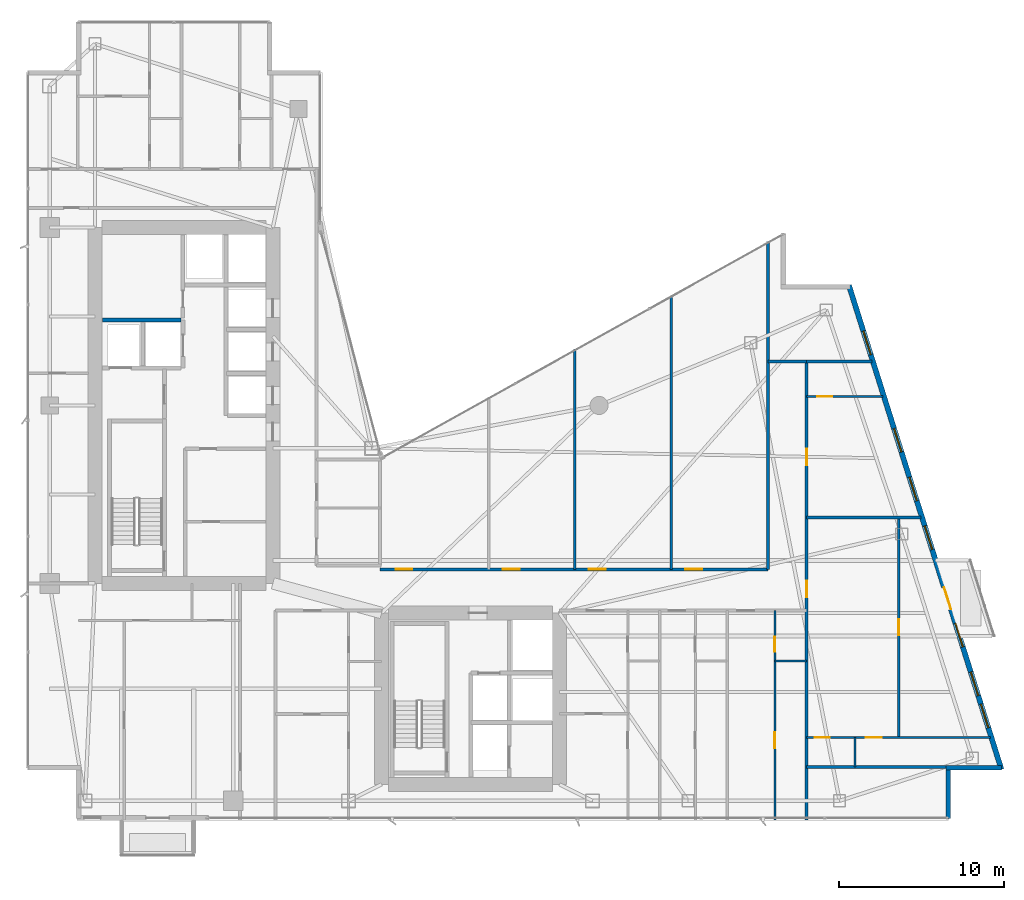
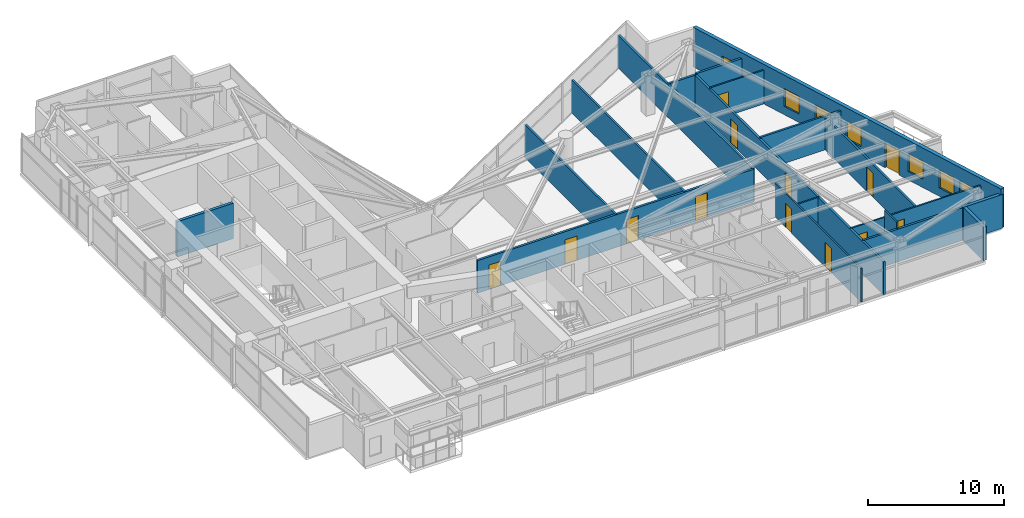
# One storey, part 24 of 29: 19 walls, 13 doors, 7 windows, 20 openings.
"""IFC4 building model written with IfcOpenShell, lengths in metres."""

import ifcopenshell
import ifcopenshell.guid

model = None  # the IFC model being written
_history = None  # IfcOwnerHistory: only IFC2X3 demands one
_inside = {}  # id of a spatial element -> (the spatial element, [elements in it])
_under = {}  # id of a project, library or spatial element -> (it, [spatial elements below it])
_declared = {}  # id of a project -> (the project, [libraries it declares])
_typed = {}  # id of a type object -> (the type object, [elements of that type])
_made_of = {}  # id of a material, layer set ... -> (it, [elements and type objects made of it])


def new_model(schema):
    """Start an empty IFC model of exactly this schema.

    Asked for "IFC4X3", IfcOpenShell would pick the latest addendum, in which some entities
    have other attributes; the version numbers below select the first issue.
    IFC2X3 requires an IfcOwnerHistory on every rooted entity: one is made here for all.
    """
    global model, _history
    if schema == "IFC4X3":
        model = ifcopenshell.file(schema_version=(4, 3, 0, 0))
    else:
        model = ifcopenshell.file(schema=schema)
    _inside.clear()
    _under.clear()
    _declared.clear()
    _typed.clear()
    _made_of.clear()
    _history = None
    if model.schema == "IFC2X3":
        org = make("IfcOrganization", Name="unknown")
        user = make(
            "IfcPersonAndOrganization",
            ThePerson=make("IfcPerson", FamilyName="unknown"),
            TheOrganization=org,
        )
        app = make(
            "IfcApplication",
            ApplicationDeveloper=org,
            Version="unknown",
            ApplicationFullName="unknown",
            ApplicationIdentifier="unknown",
        )
        _history = make(
            "IfcOwnerHistory",
            OwningUser=user,
            OwningApplication=app,
            ChangeAction="ADDED",
            CreationDate=0,
        )
    return model


def make(cls, **values):
    """One entity of the class cls with the attributes given. An attribute that is None is left unset."""
    return model.create_entity(
        cls, **{name: value for name, value in values.items() if value is not None}
    )


def rooted(cls, **values):
    """An entity with a GlobalId (a new one), such as an element, a storey or a relation."""
    return make(cls, GlobalId=ifcopenshell.guid.new(), OwnerHistory=_history, **values)


def si_unit(unit_type, name, prefix=None):
    """IfcSIUnit, for example si_unit("LENGTHUNIT", "METRE", prefix="MILLI")."""
    return make("IfcSIUnit", UnitType=unit_type, Prefix=prefix, Name=name)


def assignment(units):
    """IfcUnitAssignment: the units of a project."""
    return None if units is None else make("IfcUnitAssignment", Units=units)


def point(xyz):
    """IfcCartesianPoint."""
    return None if xyz is None else make("IfcCartesianPoint", Coordinates=xyz)


def direction(xyz):
    """IfcDirection."""
    return None if xyz is None else make("IfcDirection", DirectionRatios=xyz)


def frame(location, z_axis=None, x_axis=None):
    """IfcAxis2Placement3D, a coordinate frame: its origin and axes. An axis left out is left unset."""
    return make(
        "IfcAxis2Placement3D",
        Location=point(location),
        Axis=direction(z_axis),
        RefDirection=direction(x_axis),
    )


def frame_2d(location, x_axis=None):
    """IfcAxis2Placement2D, a coordinate frame in the plane: its origin and x axis."""
    return make(
        "IfcAxis2Placement2D", Location=point(location), RefDirection=direction(x_axis)
    )


def origin():
    """The frame at (0, 0, 0) with its axes left unset."""
    return frame((0.0, 0.0, 0.0))


def place(relative_to, where):
    """IfcLocalPlacement: puts the frame where relative to a parent placement (None: the world)."""
    return make(
        "IfcLocalPlacement", PlacementRelTo=relative_to, RelativePlacement=where
    )


def context(
    kind, dimensions, precision=None, world=None, true_north=None, identifier=None
):
    """IfcGeometricRepresentationContext, for example the 3D "Model" context."""
    return make(
        "IfcGeometricRepresentationContext",
        ContextIdentifier=identifier,
        ContextType=kind,
        CoordinateSpaceDimension=dimensions,
        Precision=precision,
        WorldCoordinateSystem=world,
        TrueNorth=true_north,
    )


def subcontext(parent, identifier, kind, view, scale=None):
    """IfcGeometricRepresentationSubContext, for example "Body" below "Model"."""
    return make(
        "IfcGeometricRepresentationSubContext",
        ContextIdentifier=identifier,
        ContextType=kind,
        ParentContext=parent,
        TargetScale=scale,
        TargetView=view,
    )


def project(units=None, contexts=None):
    """IfcProject with its units and contexts."""
    return rooted(
        "IfcProject",
        Name="project",
        RepresentationContexts=contexts,
        UnitsInContext=assignment(units),
    )


def spatial(cls, under=None, at=None, **own):
    """A site, building, storey or space (cls), placed at a placement, below another one or the project."""
    s = rooted(cls, ObjectPlacement=at, **own)
    if under is not None:
        _under.setdefault(under.id(), (under, []))[1].append(s)
    return s


def profile(cls, at=None, kind="AREA", **sizes):
    """A parametric profile (cls). Its sizes go by their IFC names, for example OverallWidth=200.0."""
    return make(cls, ProfileType=kind, Position=at, **sizes)


def rectangle(**sizes):
    """IfcRectangleProfileDef."""
    return profile("IfcRectangleProfileDef", **sizes)


def extrude(swept, where, along, depth):
    """IfcExtrudedAreaSolid: the profile swept, set in the frame where, extruded along a direction by depth."""
    return make(
        "IfcExtrudedAreaSolid",
        SweptArea=swept,
        Position=where,
        ExtrudedDirection=direction(along),
        Depth=depth,
    )


def shape(context_of_items, identifier, shape_type, items):
    """IfcShapeRepresentation: the items that make up one representation, for example the "Body"."""
    return make(
        "IfcShapeRepresentation",
        ContextOfItems=context_of_items,
        RepresentationIdentifier=identifier,
        RepresentationType=shape_type,
        Items=items,
    )


def material(Name=None, Category=None):
    """IfcMaterial."""
    return make("IfcMaterial", Name=Name, Category=Category)


def layer(
    of_material, thickness, ventilated=None, Name=None, Category=None, Priority=None
):
    """IfcMaterialLayer: one layer of a wall or slab, of a material (None: an air gap)."""
    return make(
        "IfcMaterialLayer",
        Material=of_material,
        LayerThickness=thickness,
        IsVentilated=ventilated,
        Name=Name,
        Category=Category,
        Priority=Priority,
    )


def layer_set(layers, Name=None):
    """IfcMaterialLayerSet."""
    return make("IfcMaterialLayerSet", MaterialLayers=layers, LayerSetName=Name)


def made_of(thing, what):
    """Note that an element or type object is made of a material, layer set ...; save() writes the relation."""
    if what is not None:
        _made_of.setdefault(what.id(), (what, []))[1].append(thing)
    return thing


def type_object(cls, material=None, **own):
    """A type object (cls), such as IfcWallType, which elements share."""
    return made_of(rooted(cls, **own), material)


def element(
    cls,
    number,
    at=None,
    inside=None,
    cuts=None,
    type_object=None,
    material=None,
    context=None,
    identifier="Body",
    shape_type=None,
    held_by="IfcProductDefinitionShape",
    body=None,
    shapes=None,
    **own,
):
    """One element of the class cls, such as IfcWall. Its Tag is "e" and its number.

    at: its placement. inside: the storey or other place that contains it. cuts: it is an
    opening in that element (IfcRelVoidsElement). A single representation is given by context,
    identifier, shape_type and body (its items); several are given by shapes. held_by: the class
    of the entity that holds the representations. save() writes the other relations.
    """
    e = rooted(cls, Tag="e%d" % number, ObjectPlacement=at, **own)
    if body is not None:
        shapes = [shape(context, identifier, shape_type, body)]
    if shapes is not None:
        e.Representation = make(held_by, Representations=shapes)
    if inside is not None:
        _inside.setdefault(inside.id(), (inside, []))[1].append(e)
    if cuts is not None:
        rooted(
            "IfcRelVoidsElement", RelatingBuildingElement=cuts, RelatedOpeningElement=e
        )
    if type_object is not None:
        _typed.setdefault(type_object.id(), (type_object, []))[1].append(e)
    return made_of(e, material)


def fill(opening, filler):
    """IfcRelFillsElement: the door or window that sits in an opening."""
    return rooted(
        "IfcRelFillsElement",
        RelatingOpeningElement=opening,
        RelatedBuildingElement=filler,
    )


def aggregate(whole, parts):
    """IfcRelAggregates: a whole, such as a stair, and the parts it consists of."""
    return rooted("IfcRelAggregates", RelatingObject=whole, RelatedObjects=parts)


def save(model, path):
    """Write the relations noted so far, then the file.

    IfcRelAggregates (storeys below a building ...), IfcRelContainedInSpatialStructure (elements
    in a storey), IfcRelDefinesByType, IfcRelAssociatesMaterial and IfcRelDeclares: one each for
    every whole, place, type object, material and project.
    """
    for whole, parts in _under.values():
        aggregate(whole, parts)
    for where, things in _inside.values():
        rooted(
            "IfcRelContainedInSpatialStructure",
            RelatedElements=things,
            RelatingStructure=where,
        )
    for kind, things in _typed.values():
        rooted("IfcRelDefinesByType", RelatedObjects=things, RelatingType=kind)
    for what, things in _made_of.values():
        rooted("IfcRelAssociatesMaterial", RelatedObjects=things, RelatingMaterial=what)
    for by, libraries in _declared.values():
        rooted("IfcRelDeclares", RelatingContext=by, RelatedDefinitions=libraries)
    model.write(path)


model = new_model("IFC4")

# Units and contexts
model_context = context("Model", 3, precision=1e-05, world=origin(), true_north=direction((0.0, 1.0)))
body_context = subcontext(model_context, "Body", "Model", "MODEL_VIEW")
ifc_project = project(units=[si_unit("LENGTHUNIT", "METRE"), si_unit("AREAUNIT", "SQUARE_METRE"), si_unit("VOLUMEUNIT", "CUBIC_METRE"), si_unit("PLANEANGLEUNIT", "RADIAN"), si_unit("MASSUNIT", "GRAM", prefix="KILO")], contexts=[model_context])

# Site, building, storey
site_placement = place(None, origin())
site = spatial("IfcSite", under=ifc_project, at=site_placement, CompositionType="ELEMENT")
building_placement = place(site_placement, origin())
building = spatial("IfcBuilding", under=site, at=building_placement, Name="Calvorn Quay Hotel", CompositionType="ELEMENT")
storey_placement = place(building_placement, frame((0.0, 0.0, 175.10009765625)))
storey = spatial("IfcBuildingStorey", under=building, at=storey_placement, Name="L43", CompositionType="ELEMENT", Elevation=175.10009765625)

# Wall, openings, doors
ifc_material_1 = material(Name="Acoustic Fireboard Steel-Stud Partition", Category="steel")
ifc_layer_1 = layer(ifc_material_1, 0.179931640625)
ifc_layer_set_1 = layer_set([ifc_layer_1], Name="WL-CORR-FIRE-180")
wall_type_1 = type_object("IfcWallType", Name="WL-CORR-FIRE-180", PredefinedType="PARTITIONING", material=ifc_layer_set_1)
wall_1_placement = place(storey_placement, frame((21.5, 17.64990234375, 0.0), z_axis=(0.0, 0.0, 1.0), x_axis=(1.0, 0.0, 0.0)))
wall_1 = element("IfcWall", 1, at=wall_1_placement, inside=storey, type_object=wall_type_1, Name="Partition Wall L43-WL-CORR-NE-N", PredefinedType="PARTITIONING", context=body_context, shape_type="SweptSolid", body=[
    extrude(rectangle(XDim=23.550048828125, YDim=0.179931640625, at=frame_2d((11.77490234375, 0.0))), origin(), (0.0, 0.0, 1.0), 2.93994140625),
])
opening_1_placement = place(wall_1_placement, frame((0.949951171875, 0.0, 0.0)))
opening_1 = element("IfcOpeningElement", 2, at=opening_1_placement, cuts=wall_1, Name="Opening D-L43-NS1", PredefinedType="OPENING", context=body_context, shape_type="SweptSolid", body=[
    extrude(rectangle(XDim=1.02001953125, YDim=2.199951171875, at=frame_2d((0.510009765625, 1.10009765625))), frame((0.0, 0.099853515625, 0.0), z_axis=(0.0, -1.0, 0.0), x_axis=(1.0, 0.0, 0.0)), (0.0, 0.0, 1.0), 0.199951171875),
])
opening_2_placement = place(wall_1_placement, frame((7.4599609375, 0.0, 0.0)))
opening_2 = element("IfcOpeningElement", 3, at=opening_2_placement, cuts=wall_1, Name="Opening D-L43-NS2", PredefinedType="OPENING", context=body_context, shape_type="SweptSolid", body=[
    extrude(rectangle(XDim=1.02001953125, YDim=2.199951171875, at=frame_2d((0.510009765625, 1.10009765625))), frame((0.0, 0.099853515625, 0.0), z_axis=(0.0, -1.0, 0.0), x_axis=(1.0, 0.0, 0.0)), (0.0, 0.0, 1.0), 0.199951171875),
])
opening_3_placement = place(wall_1_placement, frame((12.679931640625, 0.0, 0.0)))
opening_3 = element("IfcOpeningElement", 4, at=opening_3_placement, cuts=wall_1, Name="Opening D-L43-NS3", PredefinedType="OPENING", context=body_context, shape_type="SweptSolid", body=[
    extrude(rectangle(XDim=1.02001953125, YDim=2.199951171875, at=frame_2d((0.510009765625, 1.10009765625))), frame((0.0, 0.099853515625, 0.0), z_axis=(0.0, -1.0, 0.0), x_axis=(1.0, 0.0, 0.0)), (0.0, 0.0, 1.0), 0.199951171875),
])
opening_4_placement = place(wall_1_placement, frame((18.5400390625, 0.0, 0.0)))
opening_4 = element("IfcOpeningElement", 5, at=opening_4_placement, cuts=wall_1, Name="Opening D-L43-NS4", PredefinedType="OPENING", context=body_context, shape_type="SweptSolid", body=[
    extrude(rectangle(XDim=1.02001953125, YDim=2.199951171875, at=frame_2d((0.510009765625, 1.10009765625))), frame((0.0, 0.099853515625, 0.0), z_axis=(0.0, -1.0, 0.0), x_axis=(1.0, 0.0, 0.0)), (0.0, 0.0, 1.0), 0.199951171875),
])
ifc_material_2 = material(Name="Solid-Core Walnut Veneer Hotel Fire Door")
door_type_1 = type_object("IfcDoorType", Name="DR-GUEST-ENTRY-1020", OperationType="NOTDEFINED", PredefinedType="DOOR", material=ifc_material_2)
door_1_placement = place(opening_1_placement, origin())
door_1 = element("IfcDoor", 6, at=door_1_placement, inside=storey, type_object=door_type_1, Name="Conservatory Salon Door 1 (L43)", OperationType="SINGLE_SWING_RIGHT", OverallHeight=2.199951171875, OverallWidth=1.02001953125, PredefinedType="DOOR", context=body_context, shape_type="SweptSolid", body=[
    extrude(rectangle(XDim=1.02001953125, YDim=2.199951171875, at=frame_2d((0.510009765625, 1.10009765625))), frame((0.0, 0.02490234375, 0.0), z_axis=(0.0, -1.0, 0.0), x_axis=(1.0, 0.0, 0.0)), (0.0, 0.0, 1.0), 0.050048828125),
])
fill(opening_1, door_1)
door_2_placement = place(opening_2_placement, origin())
door_2 = element("IfcDoor", 7, at=door_2_placement, inside=storey, type_object=door_type_1, Name="Conservatory Salon Door 2 (L43)", OperationType="SINGLE_SWING_LEFT", OverallHeight=2.199951171875, OverallWidth=1.02001953125, PredefinedType="DOOR", context=body_context, shape_type="SweptSolid", body=[
    extrude(rectangle(XDim=1.02001953125, YDim=2.199951171875, at=frame_2d((0.510009765625, 1.10009765625))), frame((0.0, 0.02490234375, 0.0), z_axis=(0.0, -1.0, 0.0), x_axis=(1.0, 0.0, 0.0)), (0.0, 0.0, 1.0), 0.050048828125),
])
fill(opening_2, door_2)
door_3_placement = place(opening_3_placement, origin())
door_3 = element("IfcDoor", 8, at=door_3_placement, inside=storey, type_object=door_type_1, Name="Conservatory Salon Door 3 (L43)", OperationType="SINGLE_SWING_RIGHT", OverallHeight=2.199951171875, OverallWidth=1.02001953125, PredefinedType="DOOR", context=body_context, shape_type="SweptSolid", body=[
    extrude(rectangle(XDim=1.02001953125, YDim=2.199951171875, at=frame_2d((0.510009765625, 1.10009765625))), frame((0.0, 0.02490234375, 0.0), z_axis=(0.0, -1.0, 0.0), x_axis=(1.0, 0.0, 0.0)), (0.0, 0.0, 1.0), 0.050048828125),
])
fill(opening_3, door_3)
door_4_placement = place(opening_4_placement, origin())
door_4 = element("IfcDoor", 9, at=door_4_placement, inside=storey, type_object=door_type_1, Name="Conservatory Salon Door 4 (L43)", OperationType="SINGLE_SWING_LEFT", OverallHeight=2.199951171875, OverallWidth=1.02001953125, PredefinedType="DOOR", context=body_context, shape_type="SweptSolid", body=[
    extrude(rectangle(XDim=1.02001953125, YDim=2.199951171875, at=frame_2d((0.510009765625, 1.10009765625))), frame((0.0, 0.02490234375, 0.0), z_axis=(0.0, -1.0, 0.0), x_axis=(1.0, 0.0, 0.0)), (0.0, 0.0, 1.0), 0.050048828125),
])
fill(opening_4, door_4)

# Walls
wall_2_placement = place(storey_placement, frame((45.050048828125, 17.64990234375, 0.0), z_axis=(0.0, 0.0, 1.0), x_axis=(0.0, 1.0, 0.0)))
element("IfcWall", 10, at=wall_2_placement, inside=storey, type_object=wall_type_1, Name="Partition Wall L43-WL-NE-END-E", PredefinedType="PARTITIONING", context=body_context, shape_type="SweptSolid", body=[
    extrude(rectangle(XDim=19.900146484375, YDim=0.179931640625, at=frame_2d((9.9501953125, 0.0))), origin(), (0.0, 0.0, 1.0), 2.93994140625),
])
wall_3_placement = place(storey_placement, frame((47.39990234375, 5.659912109375, 0.0), z_axis=(0.0, 0.0, 1.0), x_axis=(1.0, 0.0, 0.0)))
element("IfcWall", 11, at=wall_3_placement, inside=storey, type_object=wall_type_1, Name="Partition Wall L43-WL-TIP-S", PredefinedType="PARTITIONING", context=body_context, shape_type="SweptSolid", body=[
    extrude(rectangle(XDim=8.60009765625, YDim=0.179931640625, at=frame_2d((4.300048828125, 0.0))), origin(), (0.0, 0.0, 1.0), 2.93994140625),
])
wall_4_placement = place(storey_placement, frame((47.39990234375, 30.280029296875, 0.0), z_axis=(0.0, 0.0, 1.0), x_axis=(1.0, 0.0, 0.0)))
element("IfcWall", 12, at=wall_4_placement, inside=storey, type_object=wall_type_1, Name="Partition Wall L43-WL-TIP-N", PredefinedType="PARTITIONING", context=body_context, shape_type="SweptSolid", body=[
    extrude(rectangle(XDim=3.960205078125, YDim=0.179931640625, at=frame_2d((1.97998046875, 0.0))), origin(), (0.0, 0.0, 1.0), 3.039794921875),
])

# Wall, openings, doors
wall_5_placement = place(storey_placement, frame((47.39990234375, 2.43994140625, 0.0), z_axis=(0.0, 0.0, 1.0), x_axis=(0.0, 1.0, 0.0)))
wall_5 = element("IfcWall", 13, at=wall_5_placement, inside=storey, type_object=wall_type_1, Name="Partition Wall L43-WL-CORR-TIP-E", PredefinedType="PARTITIONING", context=body_context, shape_type="SweptSolid", body=[
    extrude(rectangle(XDim=27.840087890625, YDim=0.179931640625, at=frame_2d((13.919921875, 0.0))), origin(), (0.0, 0.0, 1.0), 2.93994140625),
])
opening_5_placement = place(wall_5_placement, frame((13.510009765625, 0.0, 0.0)))
opening_5 = element("IfcOpeningElement", 14, at=opening_5_placement, cuts=wall_5, Name="Opening D-L43-U08", PredefinedType="OPENING", context=body_context, shape_type="SweptSolid", body=[
    extrude(rectangle(XDim=1.02001953125, YDim=2.199951171875, at=frame_2d((0.510009765625, 1.10009765625))), frame((0.0, 0.099853515625, 0.0), z_axis=(0.0, -1.0, 0.0), x_axis=(1.0, 0.0, 0.0)), (0.0, 0.0, 1.0), 0.199951171875),
])
opening_6_placement = place(wall_5_placement, frame((21.52001953125, 0.0, 0.0)))
opening_6 = element("IfcOpeningElement", 15, at=opening_6_placement, cuts=wall_5, Name="Opening D-L43-U09", PredefinedType="OPENING", context=body_context, shape_type="SweptSolid", body=[
    extrude(rectangle(XDim=1.02001953125, YDim=2.199951171875, at=frame_2d((0.510009765625, 1.10009765625))), frame((0.0, 0.099853515625, 0.0), z_axis=(0.0, -1.0, 0.0), x_axis=(1.0, 0.0, 0.0)), (0.0, 0.0, 1.0), 0.199951171875),
])
door_5_placement = place(opening_5_placement, origin())
door_5 = element("IfcDoor", 16, at=door_5_placement, inside=storey, type_object=door_type_1, Name="Terrace Suite Door U08 (L43)", OperationType="SINGLE_SWING_LEFT", OverallHeight=2.199951171875, OverallWidth=1.02001953125, PredefinedType="DOOR", context=body_context, shape_type="SweptSolid", body=[
    extrude(rectangle(XDim=1.02001953125, YDim=2.199951171875, at=frame_2d((0.510009765625, 1.10009765625))), frame((0.0, 0.02490234375, 0.0), z_axis=(0.0, -1.0, 0.0), x_axis=(1.0, 0.0, 0.0)), (0.0, 0.0, 1.0), 0.050048828125),
])
fill(opening_5, door_5)
door_6_placement = place(opening_6_placement, origin())
door_6 = element("IfcDoor", 17, at=door_6_placement, inside=storey, type_object=door_type_1, Name="Horizon Suite Door U09 (L43)", OperationType="SINGLE_SWING_RIGHT", OverallHeight=2.199951171875, OverallWidth=1.02001953125, PredefinedType="DOOR", context=body_context, shape_type="SweptSolid", body=[
    extrude(rectangle(XDim=1.02001953125, YDim=2.199951171875, at=frame_2d((0.510009765625, 1.10009765625))), frame((0.0, 0.02490234375, 0.0), z_axis=(0.0, -1.0, 0.0), x_axis=(1.0, 0.0, 0.0)), (0.0, 0.0, 1.0), 0.050048828125),
])
fill(opening_6, door_6)

# Walls
wall_6_placement = place(storey_placement, frame((45.050048828125, 30.280029296875, 0.0), z_axis=(0.0, 0.0, 1.0), x_axis=(1.0, 0.0, 0.0)))
element("IfcWall", 18, at=wall_6_placement, inside=storey, type_object=wall_type_1, Name="Partition Wall L43-WL-CORR-TIP-NN", PredefinedType="PARTITIONING", context=body_context, shape_type="SweptSolid", body=[
    extrude(rectangle(XDim=2.349853515625, YDim=0.179931640625, at=frame_2d((1.1748046875, 0.0))), origin(), (0.0, 0.0, 1.0), 2.93994140625),
])
ifc_material_3 = material(Name="Moisture-Resistant Tile-Backed Partition")
ifc_layer_2 = layer(ifc_material_3, 0.125)
ifc_layer_set_2 = layer_set([ifc_layer_2], Name="WL-ENSUITE-125")
wall_type_2 = type_object("IfcWallType", Name="WL-ENSUITE-125", PredefinedType="PARTITIONING", material=ifc_layer_set_2)
wall_7_placement = place(storey_placement, frame((45.469970703125, 12.10009765625, 0.0), z_axis=(0.0, 0.0, 1.0), x_axis=(1.0, 0.0, 0.0)))
element("IfcWall", 19, at=wall_7_placement, inside=storey, type_object=wall_type_2, Name="Partition Wall L43-WL-U07-BDV", PredefinedType="PARTITIONING", context=body_context, shape_type="SweptSolid", body=[
    extrude(rectangle(XDim=1.929931640625, YDim=0.125, at=frame_2d((0.96484375, 0.0))), origin(), (0.0, 0.0, 1.0), 2.93994140625),
])

# Wall, openings, doors
wall_8_placement = place(storey_placement, frame((45.469970703125, 2.43994140625, 0.0), z_axis=(0.0, 0.0, 1.0), x_axis=(0.0, 1.0, 0.0)))
wall_8 = element("IfcWall", 20, at=wall_8_placement, inside=storey, type_object=wall_type_2, Name="Partition Wall L43-WL-U07-BV", PredefinedType="PARTITIONING", context=body_context, shape_type="SweptSolid", body=[
    extrude(rectangle(XDim=12.7099609375, YDim=0.125, at=frame_2d((6.35498046875, 0.0))), origin(), (0.0, 0.0, 1.0), 3.039794921875),
])
opening_7_placement = place(wall_8_placement, frame((4.35009765625, 0.0, 0.0)))
opening_7 = element("IfcOpeningElement", 21, at=opening_7_placement, cuts=wall_8, Name="Opening D-L43-S07", PredefinedType="OPENING", context=body_context, shape_type="SweptSolid", body=[
    extrude(rectangle(XDim=0.9599609375, YDim=2.199951171875, at=frame_2d((0.47998046875, 1.10009765625))), frame((0.0, 0.072509765625, 0.0), z_axis=(0.0, -1.0, 0.0), x_axis=(1.0, 0.0, 0.0)), (0.0, 0.0, 1.0), 0.14501953125),
])
opening_8_placement = place(wall_8_placement, frame((10.2099609375, 0.0, 0.0)))
opening_8 = element("IfcOpeningElement", 22, at=opening_8_placement, cuts=wall_8, Name="Opening D-L43-E07", PredefinedType="OPENING", context=body_context, shape_type="SweptSolid", body=[
    extrude(rectangle(XDim=0.89990234375, YDim=2.14990234375, at=frame_2d((0.449951171875, 1.074951171875))), frame((0.0, 0.072509765625, 0.0), z_axis=(0.0, -1.0, 0.0), x_axis=(1.0, 0.0, 0.0)), (0.0, 0.0, 1.0), 0.14501953125),
])
ifc_material_4 = material(Name="Moisture-Sealed Timber En-Suite Door", Category="wood")
door_type_2 = type_object("IfcDoorType", Name="DR-ENSUITE-900", OperationType="NOTDEFINED", PredefinedType="DOOR", material=ifc_material_4)
door_7_placement = place(opening_8_placement, origin())
door_7 = element("IfcDoor", 23, at=door_7_placement, inside=storey, type_object=door_type_2, Name="En-Suite Door 07", OperationType="SINGLE_SWING_RIGHT", OverallHeight=2.14990234375, OverallWidth=0.89990234375, PredefinedType="DOOR", context=body_context, shape_type="SweptSolid", body=[
    extrude(rectangle(XDim=0.89990234375, YDim=2.14990234375, at=frame_2d((0.449951171875, 1.074951171875))), frame((0.0, 0.02490234375, 0.0), z_axis=(0.0, -1.0, 0.0), x_axis=(1.0, 0.0, 0.0)), (0.0, 0.0, 1.0), 0.050048828125),
])
fill(opening_8, door_7)
ifc_material_5 = material(Name="Solid Timber Internal Suite Door", Category="wood")
door_type_3 = type_object("IfcDoorType", Name="DR-SUITE-INT-960", OperationType="NOTDEFINED", PredefinedType="DOOR", material=ifc_material_5)
door_8_placement = place(opening_7_placement, origin())
door_8 = element("IfcDoor", 24, at=door_8_placement, inside=storey, type_object=door_type_3, Name="Curated Resort Boutique Door 07", OperationType="SINGLE_SWING_LEFT", OverallHeight=2.199951171875, OverallWidth=0.9599609375, PredefinedType="DOOR", context=body_context, shape_type="SweptSolid", body=[
    extrude(rectangle(XDim=0.9599609375, YDim=2.199951171875, at=frame_2d((0.47998046875, 1.10009765625))), frame((0.0, 0.02490234375, 0.0), z_axis=(0.0, -1.0, 0.0), x_axis=(1.0, 0.0, 0.0)), (0.0, 0.0, 1.0), 0.050048828125),
])
fill(opening_7, door_8)

# Wall
wall_9_placement = place(storey_placement, frame((50.35009765625, 5.659912109375, 0.0), z_axis=(0.0, 0.0, 1.0), x_axis=(0.0, 1.0, 0.0)))
element("IfcWall", 25, at=wall_9_placement, inside=storey, type_object=wall_type_2, Name="Partition Wall L43-WL-U08-BDV", PredefinedType="PARTITIONING", context=body_context, shape_type="SweptSolid", body=[
    extrude(rectangle(XDim=1.7900390625, YDim=0.125, at=frame_2d((0.89501953125, 0.0))), origin(), (0.0, 0.0, 1.0), 3.559814453125),
])

# Wall, openings, doors
wall_10_placement = place(storey_placement, frame((47.39990234375, 7.449951171875, 0.0), z_axis=(0.0, 0.0, 1.0), x_axis=(1.0, 0.0, 0.0)))
wall_10 = element("IfcWall", 26, at=wall_10_placement, inside=storey, type_object=wall_type_2, Name="Partition Wall L43-WL-U08-BH", PredefinedType="PARTITIONING", context=body_context, shape_type="SweptSolid", body=[
    extrude(rectangle(XDim=11.16015625, YDim=0.125, at=frame_2d((5.580078125, 0.0))), origin(), (0.0, 0.0, 1.0), 2.93994140625),
])
opening_9_placement = place(wall_10_placement, frame((0.5, 0.0, 0.0)))
opening_9 = element("IfcOpeningElement", 27, at=opening_9_placement, cuts=wall_10, Name="Opening D-L43-E08", PredefinedType="OPENING", context=body_context, shape_type="SweptSolid", body=[
    extrude(rectangle(XDim=0.89990234375, YDim=2.14990234375, at=frame_2d((0.449951171875, 1.074951171875))), frame((0.0, 0.072509765625, 0.0), z_axis=(0.0, -1.0, 0.0), x_axis=(1.0, 0.0, 0.0)), (0.0, 0.0, 1.0), 0.14501953125),
])
opening_10_placement = place(wall_10_placement, frame((3.60009765625, 0.0, 0.0)))
opening_10 = element("IfcOpeningElement", 28, at=opening_10_placement, cuts=wall_10, Name="Opening D-L43-S08", PredefinedType="OPENING", context=body_context, shape_type="SweptSolid", body=[
    extrude(rectangle(XDim=0.9599609375, YDim=2.199951171875, at=frame_2d((0.47998046875, 1.10009765625))), frame((0.0, 0.072509765625, 0.0), z_axis=(0.0, -1.0, 0.0), x_axis=(1.0, 0.0, 0.0)), (0.0, 0.0, 1.0), 0.14501953125),
])
door_9_placement = place(opening_9_placement, origin())
door_9 = element("IfcDoor", 29, at=door_9_placement, inside=storey, type_object=door_type_2, Name="En-Suite Door 08", OperationType="SINGLE_SWING_LEFT", OverallHeight=2.14990234375, OverallWidth=0.89990234375, PredefinedType="DOOR", context=body_context, shape_type="SweptSolid", body=[
    extrude(rectangle(XDim=0.89990234375, YDim=2.14990234375, at=frame_2d((0.449951171875, 1.074951171875))), frame((0.0, 0.02490234375, 0.0), z_axis=(0.0, -1.0, 0.0), x_axis=(1.0, 0.0, 0.0)), (0.0, 0.0, 1.0), 0.050048828125),
])
fill(opening_9, door_9)
door_10_placement = place(opening_10_placement, origin())
door_10 = element("IfcDoor", 30, at=door_10_placement, inside=storey, type_object=door_type_3, Name="Curated Resort Boutique Door 08", OperationType="SINGLE_SWING_RIGHT", OverallHeight=2.199951171875, OverallWidth=0.9599609375, PredefinedType="DOOR", context=body_context, shape_type="SweptSolid", body=[
    extrude(rectangle(XDim=0.9599609375, YDim=2.199951171875, at=frame_2d((0.47998046875, 1.10009765625))), frame((0.0, 0.02490234375, 0.0), z_axis=(0.0, -1.0, 0.0), x_axis=(1.0, 0.0, 0.0)), (0.0, 0.0, 1.0), 0.050048828125),
])
fill(opening_10, door_10)

# Wall, opening, door
wall_11_placement = place(storey_placement, frame((47.39990234375, 28.14990234375, 0.0), z_axis=(0.0, 0.0, 1.0), x_axis=(1.0, 0.0, 0.0)))
wall_11 = element("IfcWall", 31, at=wall_11_placement, inside=storey, type_object=wall_type_2, Name="Partition Wall L43-WL-U09-BH", PredefinedType="PARTITIONING", context=body_context, shape_type="SweptSolid", body=[
    extrude(rectangle(XDim=4.630126953125, YDim=0.125, at=frame_2d((2.31494140625, 0.0))), origin(), (0.0, 0.0, 1.0), 3.039794921875),
])
opening_11_placement = place(wall_11_placement, frame((0.64990234375, 0.0, 0.0)))
opening_11 = element("IfcOpeningElement", 32, at=opening_11_placement, cuts=wall_11, Name="Opening D-L43-E09", PredefinedType="OPENING", context=body_context, shape_type="SweptSolid", body=[
    extrude(rectangle(XDim=0.89990234375, YDim=2.14990234375, at=frame_2d((0.449951171875, 1.074951171875))), frame((0.0, 0.072509765625, 0.0), z_axis=(0.0, -1.0, 0.0), x_axis=(1.0, 0.0, 0.0)), (0.0, 0.0, 1.0), 0.14501953125),
])
door_11_placement = place(opening_11_placement, origin())
door_11 = element("IfcDoor", 33, at=door_11_placement, inside=storey, type_object=door_type_2, Name="En-Suite Door 09", OperationType="SINGLE_SWING_LEFT", OverallHeight=2.14990234375, OverallWidth=0.89990234375, PredefinedType="DOOR", context=body_context, shape_type="SweptSolid", body=[
    extrude(rectangle(XDim=0.89990234375, YDim=2.14990234375, at=frame_2d((0.449951171875, 1.074951171875))), frame((0.0, 0.02490234375, 0.0), z_axis=(0.0, -1.0, 0.0), x_axis=(1.0, 0.0, 0.0)), (0.0, 0.0, 1.0), 0.050048828125),
])
fill(opening_11, door_11)

# Walls
ifc_material_6 = material(Name="Concrete C40", Category="concrete")
ifc_layer_3 = layer(ifc_material_6, 0.320068359375)
ifc_layer_set_3 = layer_set([ifc_layer_3], Name="WL-EXT-SPANDREL-320")
wall_type_3 = type_object("IfcWallType", Name="WL-EXT-SPANDREL-320", PredefinedType="SOLIDWALL", material=ifc_layer_set_3)
wall_12_placement = place(storey_placement, frame((56.0, 2.52001953125, 0.0), z_axis=(0.0, 0.0, 1.0), x_axis=(0.0, 1.0, 0.0)))
element("IfcWall", 34, at=wall_12_placement, inside=storey, type_object=wall_type_3, Name="Notched Corner Spandrel L43-SE1", PredefinedType="SOLIDWALL", context=body_context, shape_type="SweptSolid", body=[
    extrude(rectangle(XDim=2.93994140625, YDim=0.280029296875, at=frame_2d((1.469970703125, 0.0))), origin(), (0.0, 0.0, 1.0), 3.039794921875),
])
wall_13_placement = place(storey_placement, frame((55.860107421875, 5.60009765625, 0.0), z_axis=(0.0, 0.0, 1.0), x_axis=(1.0, 0.0, 0.0)))
element("IfcWall", 35, at=wall_13_placement, inside=storey, type_object=wall_type_3, Name="Notched Corner Spandrel L43-SE2", PredefinedType="SOLIDWALL", context=body_context, shape_type="SweptSolid", body=[
    extrude(rectangle(XDim=3.3798828125, YDim=0.280029296875, at=frame_2d((1.68994140625, 0.0))), origin(), (0.0, 0.0, 1.0), 3.039794921875),
])

# Wall, openings, door, windows
wall_14_placement = place(storey_placement, frame((59.22998046875, 5.5048828125, 0.0), z_axis=(0.0, 0.0, 1.0), x_axis=(-0.300509063924, 0.953778958931, 0.0)))
wall_14 = element("IfcWall", 36, at=wall_14_placement, inside=storey, type_object=wall_type_3, Name="East Stepped Waterfront Exterior Wall (L43)", PredefinedType="SOLIDWALL", context=body_context, shape_type="SweptSolid", body=[
    extrude(rectangle(XDim=30.814453125, YDim=0.320068359375, at=frame_2d((15.4072265625, 0.0))), origin(), (0.0, 0.0, 1.0), 3.559814453125),
])
opening_12_placement = place(wall_14_placement, frame((10.198974609375, 0.0, 0.0)))
opening_12 = element("IfcOpeningElement", 37, at=opening_12_placement, cuts=wall_14, Name="Opening DB-L43-1", PredefinedType="OPENING", context=body_context, shape_type="SweptSolid", body=[
    extrude(rectangle(XDim=1.39990234375, YDim=2.25, at=frame_2d((0.699951171875, 1.125))), frame((0.0, 0.169921875, 0.0), z_axis=(0.0, -1.0, 0.0), x_axis=(1.0, 0.0, 0.0)), (0.0, 0.0, 1.0), 0.340087890625),
])
opening_13_placement = place(wall_14_placement, frame((2.64990234375, 0.0, 0.75)))
opening_13 = element("IfcOpeningElement", 38, at=opening_13_placement, cuts=wall_14, Name="Opening WG-L43-E1", PredefinedType="OPENING", context=body_context, shape_type="SweptSolid", body=[
    extrude(rectangle(XDim=1.5, YDim=1.60009765625, at=frame_2d((0.75, 0.800048828125))), frame((0.0, 0.169921875, 0.0), z_axis=(0.0, -1.0, 0.0), x_axis=(1.0, 0.0, 0.0)), (0.0, 0.0, 1.0), 0.340087890625),
])
opening_14_placement = place(wall_14_placement, frame((4.699951171875, 0.0, 0.75)))
opening_14 = element("IfcOpeningElement", 39, at=opening_14_placement, cuts=wall_14, Name="Opening WG-L43-E2", PredefinedType="OPENING", context=body_context, shape_type="SweptSolid", body=[
    extrude(rectangle(XDim=1.5, YDim=1.60009765625, at=frame_2d((0.75, 0.800048828125))), frame((0.0, 0.169921875, 0.0), z_axis=(0.0, -1.0, 0.0), x_axis=(1.0, 0.0, 0.0)), (0.0, 0.0, 1.0), 0.340087890625),
])
opening_15_placement = place(wall_14_placement, frame((7.800048828125, 0.0, 0.75)))
opening_15 = element("IfcOpeningElement", 40, at=opening_15_placement, cuts=wall_14, Name="Opening WG-L43-E3", PredefinedType="OPENING", context=body_context, shape_type="SweptSolid", body=[
    extrude(rectangle(XDim=1.5, YDim=1.60009765625, at=frame_2d((0.75, 0.800048828125))), frame((0.0, 0.169921875, 0.0), z_axis=(0.0, -1.0, 0.0), x_axis=(1.0, 0.0, 0.0)), (0.0, 0.0, 1.0), 0.340087890625),
])
opening_16_placement = place(wall_14_placement, frame((14.0, 0.0, 0.75)))
opening_16 = element("IfcOpeningElement", 41, at=opening_16_placement, cuts=wall_14, Name="Opening WG-L43-E4", PredefinedType="OPENING", context=body_context, shape_type="SweptSolid", body=[
    extrude(rectangle(XDim=1.5, YDim=1.60009765625, at=frame_2d((0.75, 0.800048828125))), frame((0.0, 0.169921875, 0.0), z_axis=(0.0, -1.0, 0.0), x_axis=(1.0, 0.0, 0.0)), (0.0, 0.0, 1.0), 0.340087890625),
])
opening_17_placement = place(wall_14_placement, frame((17.10009765625, 0.0, 0.75)))
opening_17 = element("IfcOpeningElement", 42, at=opening_17_placement, cuts=wall_14, Name="Opening WG-L43-E5", PredefinedType="OPENING", context=body_context, shape_type="SweptSolid", body=[
    extrude(rectangle(XDim=1.5, YDim=1.60009765625, at=frame_2d((0.75, 0.800048828125))), frame((0.0, 0.169921875, 0.0), z_axis=(0.0, -1.0, 0.0), x_axis=(1.0, 0.0, 0.0)), (0.0, 0.0, 1.0), 0.340087890625),
])
opening_18_placement = place(wall_14_placement, frame((20.199951171875, 0.0, 0.75)))
opening_18 = element("IfcOpeningElement", 43, at=opening_18_placement, cuts=wall_14, Name="Opening WG-L43-E6", PredefinedType="OPENING", context=body_context, shape_type="SweptSolid", body=[
    extrude(rectangle(XDim=1.5, YDim=1.60009765625, at=frame_2d((0.75, 0.800048828125))), frame((0.0, 0.169921875, 0.0), z_axis=(0.0, -1.0, 0.0), x_axis=(1.0, 0.0, 0.0)), (0.0, 0.0, 1.0), 0.340087890625),
])
opening_19_placement = place(wall_14_placement, frame((26.39990234375, 0.0, 0.75)))
opening_19 = element("IfcOpeningElement", 44, at=opening_19_placement, cuts=wall_14, Name="Opening WG-L43-E7", PredefinedType="OPENING", context=body_context, shape_type="SweptSolid", body=[
    extrude(rectangle(XDim=1.5, YDim=1.60009765625, at=frame_2d((0.75, 0.800048828125))), frame((0.0, 0.169921875, 0.0), z_axis=(0.0, -1.0, 0.0), x_axis=(1.0, 0.0, 0.0)), (0.0, 0.0, 1.0), 0.340087890625),
])
ifc_material_7 = material(Name="Typhoon-Rated Low-E Aluminium Terrace Door", Category="aluminium")
door_type_4 = type_object("IfcDoorType", Name="DR-BALCONY-GLZ-1400", OperationType="NOTDEFINED", PredefinedType="DOOR", material=ifc_material_7)
door_12_placement = place(opening_12_placement, origin())
door_12 = element("IfcDoor", 45, at=door_12_placement, inside=storey, type_object=door_type_4, Name="Tree Balcony Terrace Door L43-BALC-E", OperationType="SINGLE_SWING_LEFT", OverallHeight=2.25, OverallWidth=1.39990234375, PredefinedType="DOOR", context=body_context, shape_type="SweptSolid", body=[
    extrude(rectangle(XDim=1.39990234375, YDim=2.25, at=frame_2d((0.699951171875, 1.125))), frame((0.0, 0.02490234375, 0.0), z_axis=(0.0, -1.0, 0.0), x_axis=(1.0, 0.0, 0.0)), (0.0, 0.0, 1.0), 0.050048828125),
])
fill(opening_12, door_12)
ifc_material_8 = material(Name="Self-Closing Class B Fire Window")
window_type = type_object("IfcWindowType", Name="WIN-REFUGE-1500x1600", PartitioningType="SINGLE_PANEL", PredefinedType="WINDOW", material=ifc_material_8)
window_1_placement = place(opening_13_placement, origin())
window_1 = element("IfcWindow", 46, at=window_1_placement, inside=storey, type_object=window_type, Name="East Facade Window L43-E1", OverallHeight=1.60009765625, OverallWidth=1.5, PartitioningType="SINGLE_PANEL", PredefinedType="WINDOW", context=body_context, shape_type="SweptSolid", body=[
    extrude(rectangle(XDim=1.5, YDim=1.60009765625, at=frame_2d((0.75, 0.800048828125))), frame((0.0, 0.030029296875, 0.0), z_axis=(0.0, -1.0, 0.0), x_axis=(1.0, 0.0, 0.0)), (0.0, 0.0, 1.0), 0.06005859375),
])
fill(opening_13, window_1)
window_2_placement = place(opening_14_placement, origin())
window_2 = element("IfcWindow", 47, at=window_2_placement, inside=storey, type_object=window_type, Name="East Facade Window L43-E2", OverallHeight=1.60009765625, OverallWidth=1.5, PartitioningType="SINGLE_PANEL", PredefinedType="WINDOW", context=body_context, shape_type="SweptSolid", body=[
    extrude(rectangle(XDim=1.5, YDim=1.60009765625, at=frame_2d((0.75, 0.800048828125))), frame((0.0, 0.030029296875, 0.0), z_axis=(0.0, -1.0, 0.0), x_axis=(1.0, 0.0, 0.0)), (0.0, 0.0, 1.0), 0.06005859375),
])
fill(opening_14, window_2)
window_3_placement = place(opening_15_placement, origin())
window_3 = element("IfcWindow", 48, at=window_3_placement, inside=storey, type_object=window_type, Name="East Facade Window L43-E3", OverallHeight=1.60009765625, OverallWidth=1.5, PartitioningType="SINGLE_PANEL", PredefinedType="WINDOW", context=body_context, shape_type="SweptSolid", body=[
    extrude(rectangle(XDim=1.5, YDim=1.60009765625, at=frame_2d((0.75, 0.800048828125))), frame((0.0, 0.030029296875, 0.0), z_axis=(0.0, -1.0, 0.0), x_axis=(1.0, 0.0, 0.0)), (0.0, 0.0, 1.0), 0.06005859375),
])
fill(opening_15, window_3)
window_4_placement = place(opening_16_placement, origin())
window_4 = element("IfcWindow", 49, at=window_4_placement, inside=storey, type_object=window_type, Name="East Facade Window L43-E4", OverallHeight=1.60009765625, OverallWidth=1.5, PartitioningType="SINGLE_PANEL", PredefinedType="WINDOW", context=body_context, shape_type="SweptSolid", body=[
    extrude(rectangle(XDim=1.5, YDim=1.60009765625, at=frame_2d((0.75, 0.800048828125))), frame((0.0, 0.030029296875, 0.0), z_axis=(0.0, -1.0, 0.0), x_axis=(1.0, 0.0, 0.0)), (0.0, 0.0, 1.0), 0.06005859375),
])
fill(opening_16, window_4)
window_5_placement = place(opening_17_placement, origin())
window_5 = element("IfcWindow", 50, at=window_5_placement, inside=storey, type_object=window_type, Name="East Facade Window L43-E5", OverallHeight=1.60009765625, OverallWidth=1.5, PartitioningType="SINGLE_PANEL", PredefinedType="WINDOW", context=body_context, shape_type="SweptSolid", body=[
    extrude(rectangle(XDim=1.5, YDim=1.60009765625, at=frame_2d((0.75, 0.800048828125))), frame((0.0, 0.030029296875, 0.0), z_axis=(0.0, -1.0, 0.0), x_axis=(1.0, 0.0, 0.0)), (0.0, 0.0, 1.0), 0.06005859375),
])
fill(opening_17, window_5)
window_6_placement = place(opening_18_placement, origin())
window_6 = element("IfcWindow", 51, at=window_6_placement, inside=storey, type_object=window_type, Name="East Facade Window L43-E6", OverallHeight=1.60009765625, OverallWidth=1.5, PartitioningType="SINGLE_PANEL", PredefinedType="WINDOW", context=body_context, shape_type="SweptSolid", body=[
    extrude(rectangle(XDim=1.5, YDim=1.60009765625, at=frame_2d((0.75, 0.800048828125))), frame((0.0, 0.030029296875, 0.0), z_axis=(0.0, -1.0, 0.0), x_axis=(1.0, 0.0, 0.0)), (0.0, 0.0, 1.0), 0.06005859375),
])
fill(opening_18, window_6)
window_7_placement = place(opening_19_placement, origin())
window_7 = element("IfcWindow", 52, at=window_7_placement, inside=storey, type_object=window_type, Name="East Facade Window L43-E7", OverallHeight=1.60009765625, OverallWidth=1.5, PartitioningType="SINGLE_PANEL", PredefinedType="WINDOW", context=body_context, shape_type="SweptSolid", body=[
    extrude(rectangle(XDim=1.5, YDim=1.60009765625, at=frame_2d((0.75, 0.800048828125))), frame((0.0, 0.030029296875, 0.0), z_axis=(0.0, -1.0, 0.0), x_axis=(1.0, 0.0, 0.0)), (0.0, 0.0, 1.0), 0.06005859375),
])
fill(opening_19, window_7)

# Walls
ifc_material_9 = material(Name="Double-Stud Acoustic Gypsum Partition")
ifc_layer_4 = layer(ifc_material_9, 0.159912109375)
ifc_layer_set_4 = layer_set([ifc_layer_4], Name="WL-INTERSUITE-160")
wall_type_4 = type_object("IfcWallType", Name="WL-INTERSUITE-160", PredefinedType="PARTITIONING", material=ifc_layer_set_4)
wall_15_placement = place(storey_placement, frame((33.330078125, 17.64990234375, 0.0), z_axis=(0.0, 0.0, 1.0), x_axis=(0.0, 1.0, 0.0)))
element("IfcWall", 53, at=wall_15_placement, inside=storey, type_object=wall_type_4, Name="Partition Wall L43-WL-NE-DIV-2", PredefinedType="PARTITIONING", context=body_context, shape_type="SweptSolid", body=[
    extrude(rectangle(XDim=13.3701171875, YDim=0.159912109375, at=frame_2d((6.68505859375, 0.0))), origin(), (0.0, 0.0, 1.0), 2.93994140625),
])
wall_16_placement = place(storey_placement, frame((39.18994140625, 17.64990234375, 0.0), z_axis=(0.0, 0.0, 1.0), x_axis=(0.0, 1.0, 0.0)))
element("IfcWall", 54, at=wall_16_placement, inside=storey, type_object=wall_type_4, Name="Partition Wall L43-WL-NE-DIV-3", PredefinedType="PARTITIONING", context=body_context, shape_type="SweptSolid", body=[
    extrude(rectangle(XDim=16.630126953125, YDim=0.159912109375, at=frame_2d((8.31494140625, 0.0))), origin(), (0.0, 0.0, 1.0), 2.93994140625),
])

# Wall, opening, door
wall_17_placement = place(storey_placement, frame((52.989990234375, 7.449951171875, 0.0), z_axis=(0.0, 0.0, 1.0), x_axis=(0.0, 1.0, 0.0)))
wall_17 = element("IfcWall", 55, at=wall_17_placement, inside=storey, type_object=wall_type_4, Name="Partition Wall L43-WL-U08-MSP", PredefinedType="PARTITIONING", context=body_context, shape_type="SweptSolid", body=[
    extrude(rectangle(XDim=13.35009765625, YDim=0.159912109375, at=frame_2d((6.675048828125, 0.0))), origin(), (0.0, 0.0, 1.0), 2.93994140625),
])
opening_20_placement = place(wall_17_placement, frame((6.199951171875, 0.0, 0.0)))
opening_20 = element("IfcOpeningElement", 56, at=opening_20_placement, cuts=wall_17, Name="Opening D-L43-M08", PredefinedType="OPENING", context=body_context, shape_type="SweptSolid", body=[
    extrude(rectangle(XDim=0.9599609375, YDim=2.199951171875, at=frame_2d((0.47998046875, 1.10009765625))), frame((0.0, 0.08984375, 0.0), z_axis=(0.0, -1.0, 0.0), x_axis=(1.0, 0.0, 0.0)), (0.0, 0.0, 1.0), 0.179931640625),
])
door_13_placement = place(opening_20_placement, origin())
door_13 = element("IfcDoor", 57, at=door_13_placement, inside=storey, type_object=door_type_3, Name="Suite Bedroom Door 08", OperationType="SINGLE_SWING_LEFT", OverallHeight=2.199951171875, OverallWidth=0.9599609375, PredefinedType="DOOR", context=body_context, shape_type="SweptSolid", body=[
    extrude(rectangle(XDim=0.9599609375, YDim=2.199951171875, at=frame_2d((0.47998046875, 1.10009765625))), frame((0.0, 0.02490234375, 0.0), z_axis=(0.0, -1.0, 0.0), x_axis=(1.0, 0.0, 0.0)), (0.0, 0.0, 1.0), 0.050048828125),
])
fill(opening_20, door_13)

# Walls
wall_18_placement = place(storey_placement, frame((47.39990234375, 20.800048828125, 0.0), z_axis=(0.0, 0.0, 1.0), x_axis=(1.0, 0.0, 0.0)))
element("IfcWall", 58, at=wall_18_placement, inside=storey, type_object=wall_type_4, Name="Partition Wall L43-WL-TIP-DIV", PredefinedType="PARTITIONING", context=body_context, shape_type="SweptSolid", body=[
    extrude(rectangle(XDim=6.9501953125, YDim=0.159912109375, at=frame_2d((3.47509765625, 0.0))), origin(), (0.0, 0.0, 1.0), 3.039794921875),
])
ifc_material_10 = material(Name="Concrete C40", Category="concrete")
ifc_layer_5 = layer(ifc_material_10, 0.239990234375)
ifc_layer_set_5 = layer_set([ifc_layer_5], Name="WL-SHAFT-240")
wall_type_5 = type_object("IfcWallType", Name="WL-SHAFT-240", PredefinedType="SOLIDWALL", material=ifc_layer_set_5)
wall_19_placement = place(storey_placement, frame((4.64501953125, 32.780029296875, 0.0), z_axis=(0.0, 0.0, 1.0), x_axis=(1.0, 0.0, 0.0)))
element("IfcWall", 59, at=wall_19_placement, inside=storey, type_object=wall_type_5, Name="Partition Wall L43-WL-CWW-SLW-N", PredefinedType="SOLIDWALL", context=body_context, shape_type="SweptSolid", body=[
    extrude(rectangle(XDim=4.77490234375, YDim=0.239990234375, at=frame_2d((2.387451171875, 0.0))), origin(), (0.0, 0.0, 1.0), 3.18994140625),
])

save(model, "model.ifc")
